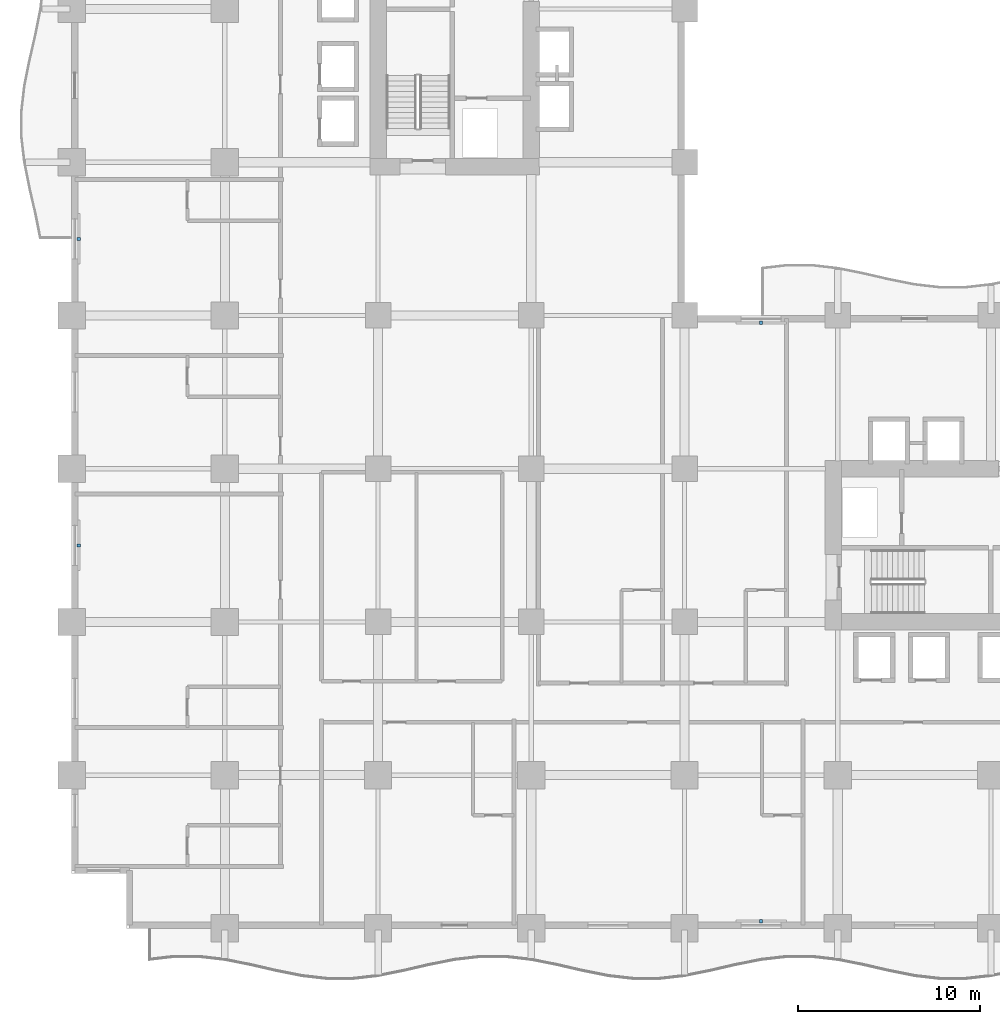
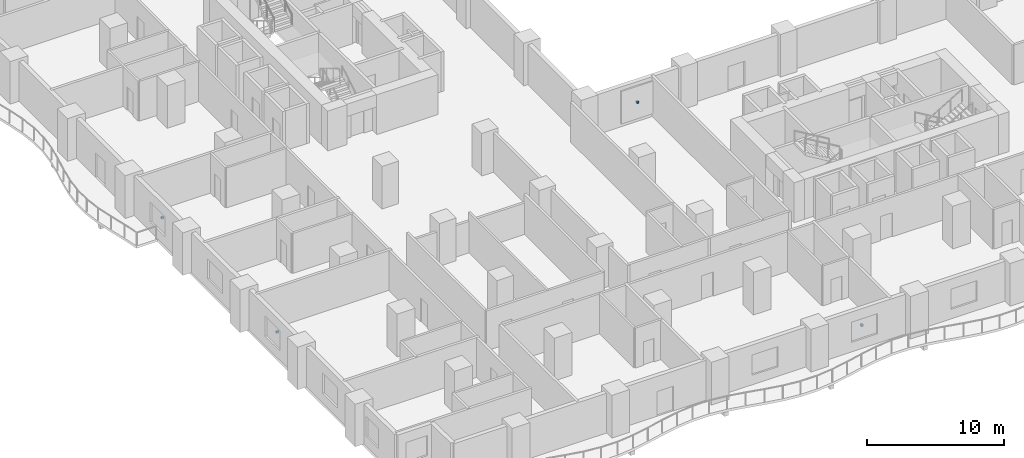
# One storey, part 15 of 20: 4 discrete accessories.
"""IFC4 building model written with IfcOpenShell, lengths in metres."""

from ifc_helpers import new_model, si_unit, direction, frame, origin, origin_2d, place, context, subcontext, project, spatial, rectangle, extrude, material, type_object, element, save


model = new_model("IFC4")

# Units and contexts
model_context = context("Model", 3, precision=1e-05, world=origin(), true_north=direction((0.0, 1.0)))
body_context = subcontext(model_context, "Body", "Model", "MODEL_VIEW")
ifc_project = project(units=[si_unit("LENGTHUNIT", "METRE"), si_unit("AREAUNIT", "SQUARE_METRE"), si_unit("VOLUMEUNIT", "CUBIC_METRE"), si_unit("PLANEANGLEUNIT", "RADIAN"), si_unit("MASSUNIT", "GRAM", prefix="KILO")], contexts=[model_context])

# Site, building, storey
site_placement = place(None, origin())
site = spatial("IfcSite", under=ifc_project, at=site_placement, CompositionType="ELEMENT")
building_placement = place(site_placement, origin())
building = spatial("IfcBuilding", under=site, at=building_placement, Name="Koriwani Terraces Tower", CompositionType="ELEMENT")
storey_placement = place(building_placement, frame((0.0, 0.0, 66.199951171875)))
storey = spatial("IfcBuildingStorey", under=building, at=storey_placement, Name="L15", CompositionType="ELEMENT", Elevation=66.199951171875)

# Discrete accessories
ifc_material = material(Name="Steel ASTM A572 Grade 50", Category="steel")
discrete_accessory_type = type_object("IfcDiscreteAccessoryType", Name="BAGUETTE_STANDOFF_BRACKET", PredefinedType="BRACKET", material=ifc_material)
for number, where, z_axis, x_axis, name in (
    (1, (0.389892578125, 21.0, 1.68505859375), (0.0, 0.0, 1.0), (0.0, 1.0, 0.0), "L15 Terracotta Baguette Bracket (W-6)"),
    (2, (0.389892578125, 37.800048828125, 1.68505859375), (0.0, 0.0, 1.0), (0.0, 1.0, 0.0), "L15 Terracotta Baguette Bracket (W-12)"),
    (3, (37.800048828125, 33.2099609375, 1.68505859375), (0.0, 0.0, 1.0), (1.0, 0.0, 0.0), "L15 Terracotta Baguette Bracket (NE-2)"),
    (4, (37.800048828125, 0.389892578125, 1.68505859375), (0.0, 0.0, 1.0), (-1.0, 0.0, 0.0), "L15 Terracotta Baguette Bracket (S-12)"),
):
    element("IfcDiscreteAccessory", number, at=place(storey_placement, frame(where, z_axis=z_axis, x_axis=x_axis)), inside=storey, type_object=discrete_accessory_type, Name=name, PredefinedType="BRACKET", context=body_context, shape_type="SweptSolid", body=[
        extrude(rectangle(XDim=0.159912109375, YDim=0.199951171875, at=origin_2d()), origin(), (0.0, 0.0, 1.0), 0.179931640625),
    ])

save(model, "model.ifc")
